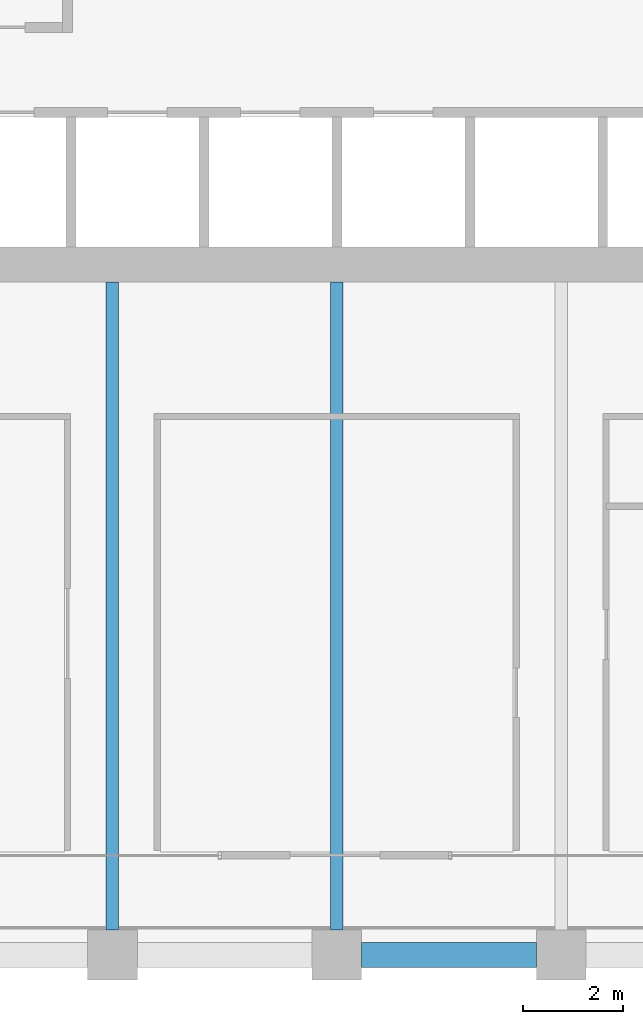
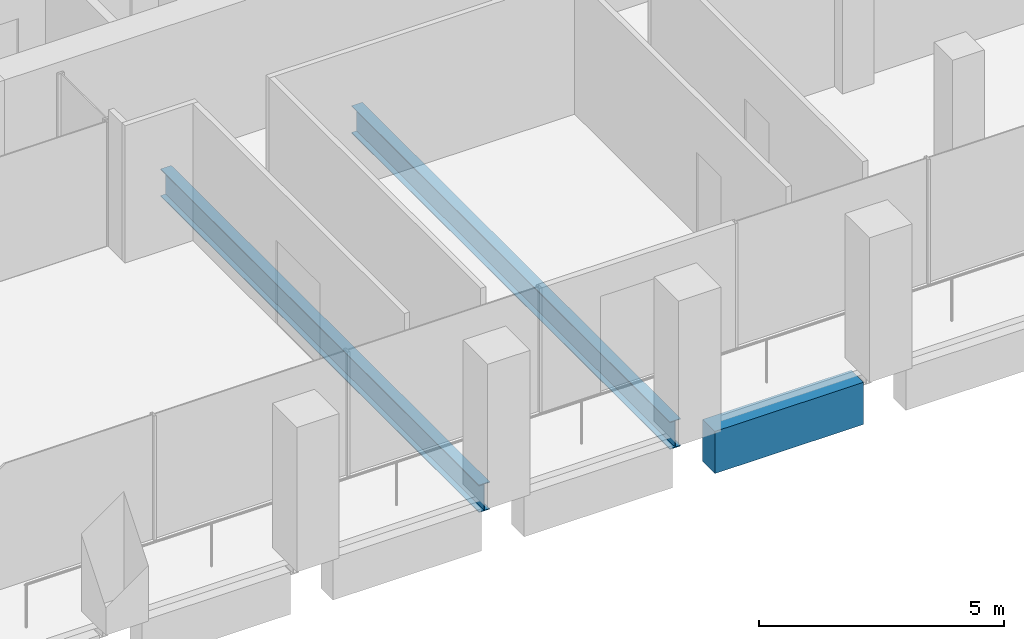
# One storey, part 8 of 46: 3 beams.
"""IFC4 building model written with IfcOpenShell, lengths in metres."""

from ifc_helpers import new_model, si_unit, direction, frame, origin, origin_2d, place, context, subcontext, project, spatial, rectangle, i_section, extrude, material, material_profile, profile_set, type_object, element, save


model = new_model("IFC4")

# Units and contexts
model_context = context("Model", 3, precision=1e-05, world=origin(), true_north=direction((0.0, 1.0)))
body_context = subcontext(model_context, "Body", "Model", "MODEL_VIEW")
ifc_project = project(units=[si_unit("LENGTHUNIT", "METRE"), si_unit("AREAUNIT", "SQUARE_METRE"), si_unit("VOLUMEUNIT", "CUBIC_METRE"), si_unit("PLANEANGLEUNIT", "RADIAN"), si_unit("MASSUNIT", "GRAM", prefix="KILO")], contexts=[model_context])

# Site, building, storey
site_placement = place(None, origin())
site = spatial("IfcSite", under=ifc_project, at=site_placement, CompositionType="ELEMENT")
building_placement = place(site_placement, origin())
building = spatial("IfcBuilding", under=site, at=building_placement, Name="Altepetl Exchange Towers", CompositionType="ELEMENT")
storey_placement = place(building_placement, frame((0.0, 0.0, 131.60009765625)))
storey = spatial("IfcBuildingStorey", under=building, at=storey_placement, Name="L32", CompositionType="ELEMENT", Elevation=131.60009765625)

# Beams
ifc_material_1 = material(Name="Steel S355", Category="steel")
ifc_material_profile_1 = material_profile(ifc_material_1, i_section(OverallWidth=0.25390625, OverallDepth=0.68408203125, WebThickness=0.012451171875, FlangeThickness=0.018798828125, at=origin_2d()), Name="W27X94")
ifc_profile_set_1 = profile_set([ifc_material_profile_1], Name="Steel S355")
beam_type_1 = type_object("IfcBeamType", Name="Floor beam W27X94", PredefinedType="BEAM", material=ifc_profile_set_1)
for number, where, z_axis, x_axis, name in (
    (1, (45.0, 27.5, -0.4921875), (0.0, 1.0, 0.0), (-1.0, 0.0, 0.0), "bm:A:L32:015"),
    (2, (49.5, 27.5, -0.4921875), (0.0, 1.0, 0.0), (-1.0, 0.0, 0.0), "bm:A:L32:016"),
):
    element("IfcBeam", number, at=place(storey_placement, frame(where, z_axis=z_axis, x_axis=x_axis)), inside=storey, type_object=beam_type_1, Name=name, PredefinedType="BEAM", context=body_context, shape_type="SweptSolid", body=[
        extrude(i_section(OverallWidth=0.25390625, OverallDepth=0.68408203125, WebThickness=0.012451171875, FlangeThickness=0.018798828125, at=origin_2d()), origin(), (0.0, 0.0, 1.0), 13.0),
    ])
ifc_material_2 = material(Name="Concrete C50/60 precast with cantera blanca facing", Category="concrete")
ifc_material_profile_2 = material_profile(ifc_material_2, rectangle(XDim=0.5, YDim=1.050048828125, at=origin_2d()), Name="500 x 1050")
ifc_profile_set_2 = profile_set([ifc_material_profile_2], Name="Concrete C50/60 precast with cantera blanca facing")
beam_type_2 = type_object("IfcBeamType", Name="Spandrel beam 500x1050 cantera blanca", PredefinedType="SPANDREL", material=ifc_profile_set_2)
beam_placement = place(storey_placement, frame((50.0, 27.0, -0.675048828125), z_axis=(1.0, 0.0, 0.0), x_axis=(0.0, 1.0, 0.0)))
element("IfcBeam", 3, at=beam_placement, inside=storey, type_object=beam_type_2, Name="sp:A:L32:004", PredefinedType="SPANDREL", context=body_context, shape_type="SweptSolid", body=[
    extrude(rectangle(XDim=0.5, YDim=1.050048828125, at=origin_2d()), origin(), (0.0, 0.0, 1.0), 3.5),
])

save(model, "model.ifc")
